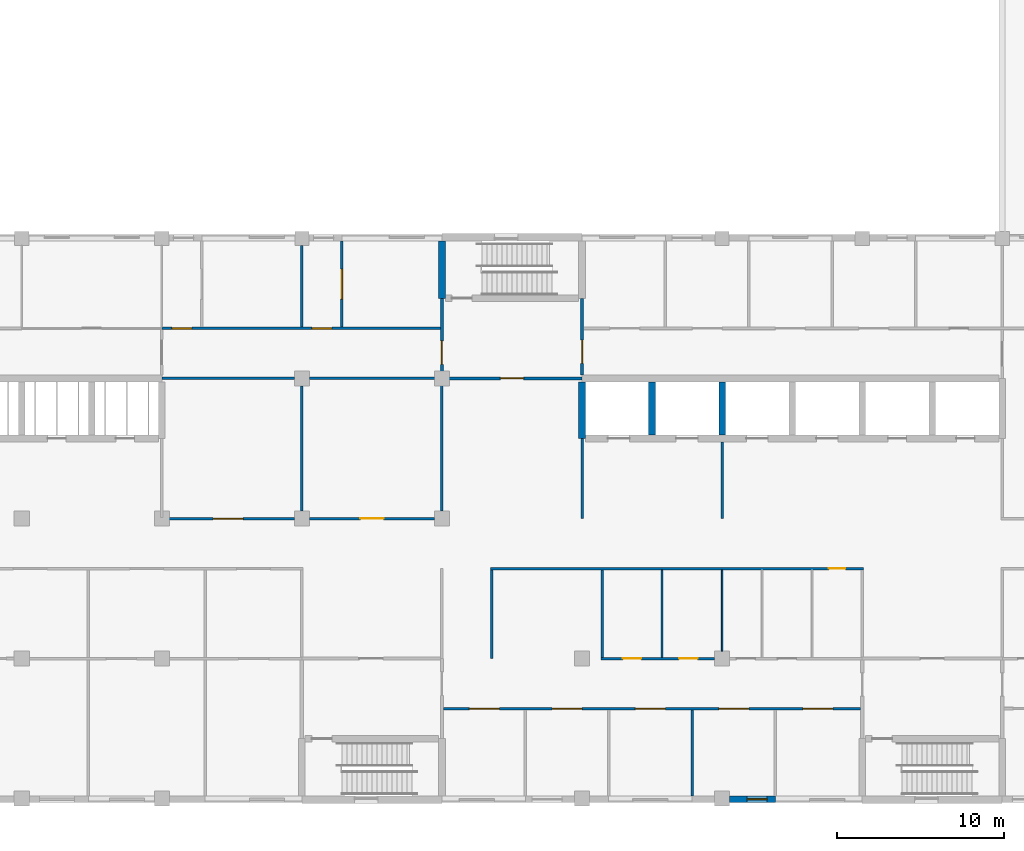
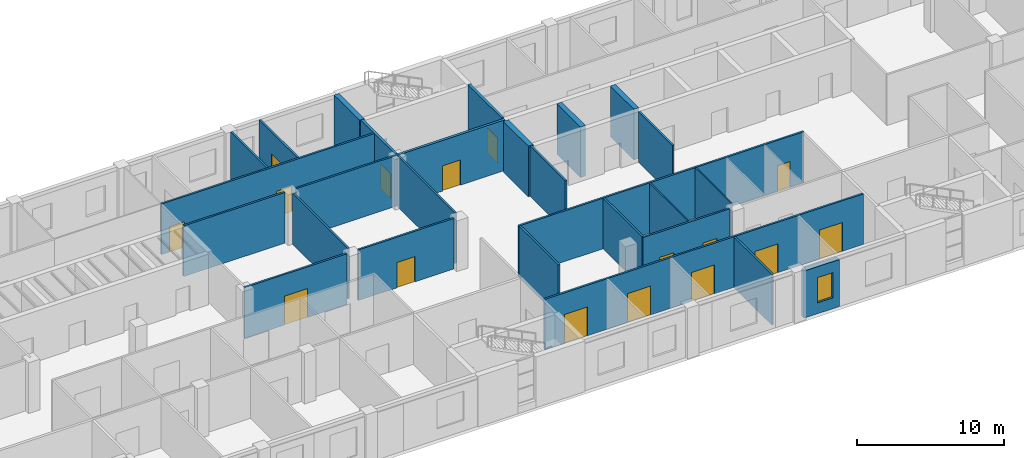
# One storey, part 40 of 66: 27 walls, 16 doors, 1 window, 17 openings.
"""IFC4 building model written with IfcOpenShell, lengths in metres."""

from ifc_helpers import new_model, si_unit, direction, frame, frame_2d, origin, place, context, subcontext, project, spatial, rectangle, extrude, material, layer, layer_set, type_object, element, fill, save


model = new_model("IFC4")

# Units and contexts
model_context = context("Model", 3, precision=1e-05, world=origin(), true_north=direction((0.0, 1.0)))
body_context = subcontext(model_context, "Body", "Model", "MODEL_VIEW")
ifc_project = project(units=[si_unit("LENGTHUNIT", "METRE"), si_unit("AREAUNIT", "SQUARE_METRE"), si_unit("VOLUMEUNIT", "CUBIC_METRE"), si_unit("PLANEANGLEUNIT", "RADIAN"), si_unit("MASSUNIT", "GRAM", prefix="KILO")], contexts=[model_context])

# Site, building, storey
site_placement = place(None, origin())
site = spatial("IfcSite", under=ifc_project, at=site_placement, CompositionType="ELEMENT")
building_placement = place(site_placement, origin())
building = spatial("IfcBuilding", under=site, at=building_placement, Name="Yavir Park General Hospital", CompositionType="ELEMENT")
storey_placement = place(building_placement, frame((0.0, 0.0, 8.39990234375)))
storey = spatial("IfcBuildingStorey", under=building, at=storey_placement, Name="L02", CompositionType="ELEMENT", Elevation=8.39990234375)

# Wall, opening, door
ifc_material_1 = material(Name="Double gypsum board fire partition on steel studs", Category="steel")
ifc_layer_1 = layer(ifc_material_1, 0.199951171875)
ifc_layer_set_1 = layer_set([ifc_layer_1], Name="Double gypsum board fire partition on steel studs")
wall_type_1 = type_object("IfcWallType", Name="Fire-rated partition 200, EI 60", PredefinedType="PARTITIONING", material=ifc_layer_set_1)
wall_1_placement = place(storey_placement, frame((109.199951171875, 25.199951171875, 0.0), z_axis=(0.0, 0.0, 1.0), x_axis=(1.0, 0.0, 0.0)))
wall_1 = element("IfcWall", 1, at=wall_1_placement, inside=storey, type_object=wall_type_1, Name="FP20 L02-067", PredefinedType="PARTITIONING", context=body_context, shape_type="SweptSolid", body=[
    extrude(rectangle(XDim=8.400146484375, YDim=0.199951171875, at=frame_2d((4.2001953125, 0.0))), origin(), (0.0, 0.0, 1.0), 4.2001953125),
])
opening_1_placement = place(wall_1_placement, frame((3.5, 0.0, 0.0)))
opening_1 = element("IfcOpeningElement", 2, at=opening_1_placement, cuts=wall_1, Name="Opening L02.D076", PredefinedType="OPENING", context=body_context, shape_type="SweptSolid", body=[
    extrude(rectangle(XDim=1.39990234375, YDim=2.10009765625, at=frame_2d((0.699951171875, 1.050048828125))), frame((0.0, 0.10986328125, 0.0), z_axis=(0.0, -1.0, 0.0), x_axis=(1.0, 0.0, 0.0)), (0.0, 0.0, 1.0), 0.219970703125),
])
ifc_material_2 = material(Name="Steel frame, fire-resisting leaves with vision panels", Category="steel")
door_type_1 = type_object("IfcDoorType", Name="Double fire door with vision panels 1400 x 2100, EI 60", OperationType="DOUBLE_DOOR_SINGLE_SWING", PredefinedType="DOOR", material=ifc_material_2)
door_1_placement = place(opening_1_placement, origin())
door_1 = element("IfcDoor", 3, at=door_1_placement, inside=storey, type_object=door_type_1, Name="L02.D076", OperationType="SINGLE_SWING_RIGHT", OverallHeight=2.10009765625, OverallWidth=1.39990234375, PredefinedType="DOOR", context=body_context, shape_type="SweptSolid", body=[
    extrude(rectangle(XDim=1.39990234375, YDim=2.10009765625, at=frame_2d((0.699951171875, 1.050048828125))), frame((0.0, 0.030029296875, 0.0), z_axis=(0.0, -1.0, 0.0), x_axis=(1.0, 0.0, 0.0)), (0.0, 0.0, 1.0), 0.06005859375),
])
fill(opening_1, door_1)

wall_2_placement = place(storey_placement, frame((109.199951171875, 25.300048828125, 0.0), z_axis=(0.0, 0.0, 1.0), x_axis=(0.0, 1.0, 0.0)))
wall_2 = element("IfcWall", 4, at=wall_2_placement, inside=storey, type_object=wall_type_1, Name="FP20 L02-284", PredefinedType="PARTITIONING", context=body_context, shape_type="SweptSolid", body=[
    extrude(rectangle(XDim=4.699951171875, YDim=0.199951171875, at=frame_2d((2.35009765625, 0.0))), origin(), (0.0, 0.0, 1.0), 4.2001953125),
])
opening_2_placement = place(wall_2_placement, frame((0.75, 0.0, 0.0)))
opening_2 = element("IfcOpeningElement", 5, at=opening_2_placement, cuts=wall_2, Name="Opening L02.D182", PredefinedType="OPENING", context=body_context, shape_type="SweptSolid", body=[
    extrude(rectangle(XDim=1.39990234375, YDim=2.10009765625, at=frame_2d((0.699951171875, 1.050048828125))), frame((0.0, 0.10986328125, 0.0), z_axis=(0.0, -1.0, 0.0), x_axis=(1.0, 0.0, 0.0)), (0.0, 0.0, 1.0), 0.219970703125),
])
door_2_placement = place(opening_2_placement, origin())
door_2 = element("IfcDoor", 6, at=door_2_placement, inside=storey, type_object=door_type_1, Name="L02.D182", OperationType="SINGLE_SWING_LEFT", OverallHeight=2.10009765625, OverallWidth=1.39990234375, PredefinedType="DOOR", context=body_context, shape_type="SweptSolid", body=[
    extrude(rectangle(XDim=1.39990234375, YDim=2.10009765625, at=frame_2d((0.699951171875, 1.050048828125))), frame((0.0, 0.030029296875, 0.0), z_axis=(0.0, -1.0, 0.0), x_axis=(1.0, 0.0, 0.0)), (0.0, 0.0, 1.0), 0.06005859375),
])
fill(opening_2, door_2)

wall_3_placement = place(storey_placement, frame((117.60009765625, 25.39990234375, 0.0), z_axis=(0.0, 0.0, 1.0), x_axis=(0.0, 1.0, 0.0)))
wall_3 = element("IfcWall", 7, at=wall_3_placement, inside=storey, type_object=wall_type_1, Name="FP20 L02-290", PredefinedType="PARTITIONING", context=body_context, shape_type="SweptSolid", body=[
    extrude(rectangle(XDim=4.60009765625, YDim=0.199951171875, at=frame_2d((2.300048828125, 0.0))), origin(), (0.0, 0.0, 1.0), 4.2001953125),
])
opening_3_placement = place(wall_3_placement, frame((0.699951171875, 0.0, 0.0)))
opening_3 = element("IfcOpeningElement", 8, at=opening_3_placement, cuts=wall_3, Name="Opening L02.D183", PredefinedType="OPENING", context=body_context, shape_type="SweptSolid", body=[
    extrude(rectangle(XDim=1.39990234375, YDim=2.10009765625, at=frame_2d((0.699951171875, 1.050048828125))), frame((0.0, 0.10986328125, 0.0), z_axis=(0.0, -1.0, 0.0), x_axis=(1.0, 0.0, 0.0)), (0.0, 0.0, 1.0), 0.219970703125),
])
door_3_placement = place(opening_3_placement, origin())
door_3 = element("IfcDoor", 9, at=door_3_placement, inside=storey, type_object=door_type_1, Name="L02.D183", OperationType="SINGLE_SWING_RIGHT", OverallHeight=2.10009765625, OverallWidth=1.39990234375, PredefinedType="DOOR", context=body_context, shape_type="SweptSolid", body=[
    extrude(rectangle(XDim=1.39990234375, YDim=2.10009765625, at=frame_2d((0.699951171875, 1.050048828125))), frame((0.0, 0.030029296875, 0.0), z_axis=(0.0, -1.0, 0.0), x_axis=(1.0, 0.0, 0.0)), (0.0, 0.0, 1.0), 0.06005859375),
])
fill(opening_3, door_3)

# Walls
ifc_material_3 = material(Name="Gypsum board partition on steel studs", Category="steel")
ifc_layer_2 = layer(ifc_material_3, 0.10009765625)
ifc_layer_set_2 = layer_set([ifc_layer_2], Name="Gypsum board partition on steel studs")
wall_type_2 = type_object("IfcWallType", Name="Gypsum board partition 100", PredefinedType="PARTITIONING", material=ifc_layer_set_2)
wall_4_placement = place(storey_placement, frame((122.39990234375, 8.47509765625, 0.0), z_axis=(0.0, 0.0, 1.0), x_axis=(0.0, 1.0, 0.0)))
element("IfcWall", 10, at=wall_4_placement, inside=storey, type_object=wall_type_2, Name="P10 L02-295", PredefinedType="PARTITIONING", context=body_context, shape_type="SweptSolid", body=[
    extrude(rectangle(XDim=5.25, YDim=0.10009765625, at=frame_2d((2.625, 0.0))), origin(), (0.0, 0.0, 1.0), 4.2001953125),
])
wall_5_placement = place(storey_placement, frame((126.0, 8.85009765625, 0.0), z_axis=(0.0, 0.0, 1.0), x_axis=(0.0, 1.0, 0.0)))
element("IfcWall", 11, at=wall_5_placement, inside=storey, type_object=wall_type_2, Name="P10 L02-298", PredefinedType="PARTITIONING", context=body_context, shape_type="SweptSolid", body=[
    extrude(rectangle(XDim=4.875, YDim=0.10009765625, at=frame_2d((2.4375, 0.0))), origin(), (0.0, 0.0, 1.0), 4.2001953125),
])

# Wall, openings, doors
ifc_material_4 = material(Name="Gypsum board partition on steel studs", Category="steel")
ifc_layer_3 = layer(ifc_material_4, 0.14990234375)
ifc_layer_set_3 = layer_set([ifc_layer_3], Name="Gypsum board partition on steel studs")
wall_type_3 = type_object("IfcWallType", Name="Gypsum board partition 150", PredefinedType="PARTITIONING", material=ifc_layer_set_3)
wall_6_placement = place(storey_placement, frame((109.300048828125, 5.39990234375, 0.0), z_axis=(0.0, 0.0, 1.0), x_axis=(1.0, 0.0, 0.0)))
wall_6 = element("IfcWall", 12, at=wall_6_placement, inside=storey, type_object=wall_type_3, Name="P15 L02-005", PredefinedType="PARTITIONING", context=body_context, shape_type="SweptSolid", body=[
    extrude(rectangle(XDim=25.0, YDim=0.14990234375, at=frame_2d((12.5, 0.0))), origin(), (0.0, 0.0, 1.0), 4.2001953125),
])
opening_4_placement = place(wall_6_placement, frame((1.550048828125, 0.0, 0.0)))
opening_4 = element("IfcOpeningElement", 13, at=opening_4_placement, cuts=wall_6, Name="Opening L02.D005", PredefinedType="OPENING", context=body_context, shape_type="SweptSolid", body=[
    extrude(rectangle(XDim=1.800048828125, YDim=2.39990234375, at=frame_2d((0.89990234375, 1.199951171875))), frame((0.0, 0.0849609375, 0.0), z_axis=(0.0, -1.0, 0.0), x_axis=(1.0, 0.0, 0.0)), (0.0, 0.0, 1.0), 0.169921875),
])
opening_5_placement = place(wall_6_placement, frame((6.5, 0.0, 0.0)))
opening_5 = element("IfcOpeningElement", 14, at=opening_5_placement, cuts=wall_6, Name="Opening L02.D006", PredefinedType="OPENING", context=body_context, shape_type="SweptSolid", body=[
    extrude(rectangle(XDim=1.800048828125, YDim=2.39990234375, at=frame_2d((0.89990234375, 1.199951171875))), frame((0.0, 0.0849609375, 0.0), z_axis=(0.0, -1.0, 0.0), x_axis=(1.0, 0.0, 0.0)), (0.0, 0.0, 1.0), 0.169921875),
])
opening_6_placement = place(wall_6_placement, frame((11.5, 0.0, 0.0)))
opening_6 = element("IfcOpeningElement", 15, at=opening_6_placement, cuts=wall_6, Name="Opening L02.D007", PredefinedType="OPENING", context=body_context, shape_type="SweptSolid", body=[
    extrude(rectangle(XDim=1.800048828125, YDim=2.39990234375, at=frame_2d((0.89990234375, 1.199951171875))), frame((0.0, 0.0849609375, 0.0), z_axis=(0.0, -1.0, 0.0), x_axis=(1.0, 0.0, 0.0)), (0.0, 0.0, 1.0), 0.169921875),
])
opening_7_placement = place(wall_6_placement, frame((16.5, 0.0, 0.0)))
opening_7 = element("IfcOpeningElement", 16, at=opening_7_placement, cuts=wall_6, Name="Opening L02.D008", PredefinedType="OPENING", context=body_context, shape_type="SweptSolid", body=[
    extrude(rectangle(XDim=1.800048828125, YDim=2.39990234375, at=frame_2d((0.89990234375, 1.199951171875))), frame((0.0, 0.0849609375, 0.0), z_axis=(0.0, -1.0, 0.0), x_axis=(1.0, 0.0, 0.0)), (0.0, 0.0, 1.0), 0.169921875),
])
opening_8_placement = place(wall_6_placement, frame((21.550048828125, 0.0, 0.0)))
opening_8 = element("IfcOpeningElement", 17, at=opening_8_placement, cuts=wall_6, Name="Opening L02.D009", PredefinedType="OPENING", context=body_context, shape_type="SweptSolid", body=[
    extrude(rectangle(XDim=1.800048828125, YDim=2.39990234375, at=frame_2d((0.89990234375, 1.199951171875))), frame((0.0, 0.0849609375, 0.0), z_axis=(0.0, -1.0, 0.0), x_axis=(1.0, 0.0, 0.0)), (0.0, 0.0, 1.0), 0.169921875),
])
ifc_material_5 = material(Name="Aluminium frame, safety glass leaves", Category="aluminium")
door_type_2 = type_object("IfcDoorType", Name="Glazed bi-parting sliding door, intensive care 1800 x 2400", OperationType="DOUBLE_DOOR_SLIDING", PredefinedType="DOOR", material=ifc_material_5)
door_4_placement = place(opening_4_placement, origin())
door_4 = element("IfcDoor", 18, at=door_4_placement, inside=storey, type_object=door_type_2, Name="L02.D005", OperationType="DOUBLE_DOOR_SLIDING", OverallHeight=2.39990234375, OverallWidth=1.800048828125, PredefinedType="DOOR", context=body_context, shape_type="SweptSolid", body=[
    extrude(rectangle(XDim=1.800048828125, YDim=2.39990234375, at=frame_2d((0.89990234375, 1.199951171875))), frame((0.0, 0.03515625, 0.0), z_axis=(0.0, -1.0, 0.0), x_axis=(1.0, 0.0, 0.0)), (0.0, 0.0, 1.0), 0.070068359375),
])
fill(opening_4, door_4)
door_5_placement = place(opening_5_placement, origin())
door_5 = element("IfcDoor", 19, at=door_5_placement, inside=storey, type_object=door_type_2, Name="L02.D006", OperationType="DOUBLE_DOOR_SLIDING", OverallHeight=2.39990234375, OverallWidth=1.800048828125, PredefinedType="DOOR", context=body_context, shape_type="SweptSolid", body=[
    extrude(rectangle(XDim=1.800048828125, YDim=2.39990234375, at=frame_2d((0.89990234375, 1.199951171875))), frame((0.0, 0.03515625, 0.0), z_axis=(0.0, -1.0, 0.0), x_axis=(1.0, 0.0, 0.0)), (0.0, 0.0, 1.0), 0.070068359375),
])
fill(opening_5, door_5)
door_6_placement = place(opening_6_placement, origin())
door_6 = element("IfcDoor", 20, at=door_6_placement, inside=storey, type_object=door_type_2, Name="L02.D007", OperationType="DOUBLE_DOOR_SLIDING", OverallHeight=2.39990234375, OverallWidth=1.800048828125, PredefinedType="DOOR", context=body_context, shape_type="SweptSolid", body=[
    extrude(rectangle(XDim=1.800048828125, YDim=2.39990234375, at=frame_2d((0.89990234375, 1.199951171875))), frame((0.0, 0.03515625, 0.0), z_axis=(0.0, -1.0, 0.0), x_axis=(1.0, 0.0, 0.0)), (0.0, 0.0, 1.0), 0.070068359375),
])
fill(opening_6, door_6)
door_7_placement = place(opening_7_placement, origin())
door_7 = element("IfcDoor", 21, at=door_7_placement, inside=storey, type_object=door_type_2, Name="L02.D008", OperationType="DOUBLE_DOOR_SLIDING", OverallHeight=2.39990234375, OverallWidth=1.800048828125, PredefinedType="DOOR", context=body_context, shape_type="SweptSolid", body=[
    extrude(rectangle(XDim=1.800048828125, YDim=2.39990234375, at=frame_2d((0.89990234375, 1.199951171875))), frame((0.0, 0.03515625, 0.0), z_axis=(0.0, -1.0, 0.0), x_axis=(1.0, 0.0, 0.0)), (0.0, 0.0, 1.0), 0.070068359375),
])
fill(opening_7, door_7)
door_8_placement = place(opening_8_placement, origin())
door_8 = element("IfcDoor", 22, at=door_8_placement, inside=storey, type_object=door_type_2, Name="L02.D009", OperationType="DOUBLE_DOOR_SLIDING", OverallHeight=2.39990234375, OverallWidth=1.800048828125, PredefinedType="DOOR", context=body_context, shape_type="SweptSolid", body=[
    extrude(rectangle(XDim=1.800048828125, YDim=2.39990234375, at=frame_2d((0.89990234375, 1.199951171875))), frame((0.0, 0.03515625, 0.0), z_axis=(0.0, -1.0, 0.0), x_axis=(1.0, 0.0, 0.0)), (0.0, 0.0, 1.0), 0.070068359375),
])
fill(opening_8, door_8)

wall_7_placement = place(storey_placement, frame((118.72509765625, 8.39990234375, 0.0), z_axis=(0.0, 0.0, 1.0), x_axis=(1.0, 0.0, 0.0)))
wall_7 = element("IfcWall", 23, at=wall_7_placement, inside=storey, type_object=wall_type_3, Name="P15 L02-020", PredefinedType="PARTITIONING", context=body_context, shape_type="SweptSolid", body=[
    extrude(rectangle(XDim=6.824951171875, YDim=0.14990234375, at=frame_2d((3.41259765625, 0.0))), origin(), (0.0, 0.0, 1.0), 4.2001953125),
])
opening_9_placement = place(wall_7_placement, frame((1.324951171875, 0.0, 0.0)))
opening_9 = element("IfcOpeningElement", 24, at=opening_9_placement, cuts=wall_7, Name="Opening L02.D030", PredefinedType="OPENING", context=body_context, shape_type="SweptSolid", body=[
    extrude(rectangle(XDim=1.10009765625, YDim=2.10009765625, at=frame_2d((0.550048828125, 1.050048828125))), frame((0.0, 0.0849609375, 0.0), z_axis=(0.0, -1.0, 0.0), x_axis=(1.0, 0.0, 0.0)), (0.0, 0.0, 1.0), 0.169921875),
])
opening_10_placement = place(wall_7_placement, frame((4.699951171875, 0.0, 0.0)))
opening_10 = element("IfcOpeningElement", 25, at=opening_10_placement, cuts=wall_7, Name="Opening L02.D031", PredefinedType="OPENING", context=body_context, shape_type="SweptSolid", body=[
    extrude(rectangle(XDim=1.10009765625, YDim=2.10009765625, at=frame_2d((0.550048828125, 1.050048828125))), frame((0.0, 0.0849609375, 0.0), z_axis=(0.0, -1.0, 0.0), x_axis=(1.0, 0.0, 0.0)), (0.0, 0.0, 1.0), 0.169921875),
])
ifc_material_6 = material(Name="Hollow metal frame, solid-core timber leaf", Category="wood")
door_type_3 = type_object("IfcDoorType", Name="Single swing door 1100 x 2100", OperationType="SINGLE_SWING_LEFT", PredefinedType="DOOR", material=ifc_material_6)
door_9_placement = place(opening_9_placement, origin())
door_9 = element("IfcDoor", 26, at=door_9_placement, inside=storey, type_object=door_type_3, Name="L02.D030", OperationType="SINGLE_SWING_RIGHT", OverallHeight=2.10009765625, OverallWidth=1.10009765625, PredefinedType="DOOR", context=body_context, shape_type="SweptSolid", body=[
    extrude(rectangle(XDim=1.10009765625, YDim=2.10009765625, at=frame_2d((0.550048828125, 1.050048828125))), frame((0.0, 0.02490234375, 0.0), z_axis=(0.0, -1.0, 0.0), x_axis=(1.0, 0.0, 0.0)), (0.0, 0.0, 1.0), 0.050048828125),
])
fill(opening_9, door_9)
door_10_placement = place(opening_10_placement, origin())
door_10 = element("IfcDoor", 27, at=door_10_placement, inside=storey, type_object=door_type_3, Name="L02.D031", OperationType="SINGLE_SWING_LEFT", OverallHeight=2.10009765625, OverallWidth=1.10009765625, PredefinedType="DOOR", context=body_context, shape_type="SweptSolid", body=[
    extrude(rectangle(XDim=1.10009765625, YDim=2.10009765625, at=frame_2d((0.550048828125, 1.050048828125))), frame((0.0, 0.02490234375, 0.0), z_axis=(0.0, -1.0, 0.0), x_axis=(1.0, 0.0, 0.0)), (0.0, 0.0, 1.0), 0.050048828125),
])
fill(opening_10, door_10)

# Wall, opening, door
wall_8_placement = place(storey_placement, frame((112.125, 13.800048828125, 0.0), z_axis=(0.0, 0.0, 1.0), x_axis=(1.0, 0.0, 0.0)))
wall_8 = element("IfcWall", 28, at=wall_8_placement, inside=storey, type_object=wall_type_3, Name="P15 L02-030", PredefinedType="PARTITIONING", context=body_context, shape_type="SweptSolid", body=[
    extrude(rectangle(XDim=22.35009765625, YDim=0.14990234375, at=frame_2d((11.175048828125, 0.0))), origin(), (0.0, 0.0, 1.0), 4.2001953125),
])
opening_11_placement = place(wall_8_placement, frame((20.27490234375, 0.0, 0.0)))
opening_11 = element("IfcOpeningElement", 29, at=opening_11_placement, cuts=wall_8, Name="Opening L02.D052", PredefinedType="OPENING", context=body_context, shape_type="SweptSolid", body=[
    extrude(rectangle(XDim=1.0, YDim=2.10009765625, at=frame_2d((0.5, 1.050048828125))), frame((0.0, 0.0849609375, 0.0), z_axis=(0.0, -1.0, 0.0), x_axis=(1.0, 0.0, 0.0)), (0.0, 0.0, 1.0), 0.169921875),
])
ifc_material_7 = material(Name="Hollow metal frame, solid-core timber leaf", Category="wood")
door_type_4 = type_object("IfcDoorType", Name="Single swing door 1000 x 2100", OperationType="SINGLE_SWING_LEFT", PredefinedType="DOOR", material=ifc_material_7)
door_11_placement = place(opening_11_placement, origin())
door_11 = element("IfcDoor", 30, at=door_11_placement, inside=storey, type_object=door_type_4, Name="L02.D052", OperationType="SINGLE_SWING_LEFT", OverallHeight=2.10009765625, OverallWidth=1.0, PredefinedType="DOOR", context=body_context, shape_type="SweptSolid", body=[
    extrude(rectangle(XDim=1.0, YDim=2.10009765625, at=frame_2d((0.5, 1.050048828125))), frame((0.0, 0.02490234375, 0.0), z_axis=(0.0, -1.0, 0.0), x_axis=(1.0, 0.0, 0.0)), (0.0, 0.0, 1.0), 0.050048828125),
])
fill(opening_11, door_11)

wall_9_placement = place(storey_placement, frame((92.324951171875, 16.800048828125, 0.0), z_axis=(0.0, 0.0, 1.0), x_axis=(1.0, 0.0, 0.0)))
wall_9 = element("IfcWall", 31, at=wall_9_placement, inside=storey, type_object=wall_type_3, Name="P15 L02-043", PredefinedType="PARTITIONING", context=body_context, shape_type="SweptSolid", body=[
    extrude(rectangle(XDim=8.025146484375, YDim=0.14990234375, at=frame_2d((4.0126953125, 0.0))), origin(), (0.0, 0.0, 1.0), 4.2001953125),
])
opening_12_placement = place(wall_9_placement, frame((3.14990234375, 0.0, 0.0)))
opening_12 = element("IfcOpeningElement", 32, at=opening_12_placement, cuts=wall_9, Name="Opening L02.D059", PredefinedType="OPENING", context=body_context, shape_type="SweptSolid", body=[
    extrude(rectangle(XDim=1.800048828125, YDim=2.39990234375, at=frame_2d((0.89990234375, 1.199951171875))), frame((0.0, 0.0849609375, 0.0), z_axis=(0.0, -1.0, 0.0), x_axis=(1.0, 0.0, 0.0)), (0.0, 0.0, 1.0), 0.169921875),
])
ifc_material_8 = material(Name="Solid-core timber leaves, push plates, kick plates", Category="wood")
door_type_5 = type_object("IfcDoorType", Name="Bed door, double leaf 1800 x 2400", OperationType="DOUBLE_DOOR_SINGLE_SWING", PredefinedType="DOOR", material=ifc_material_8)
door_12_placement = place(opening_12_placement, origin())
door_12 = element("IfcDoor", 33, at=door_12_placement, inside=storey, type_object=door_type_5, Name="L02.D059", OperationType="SINGLE_SWING_RIGHT", OverallHeight=2.39990234375, OverallWidth=1.800048828125, PredefinedType="DOOR", context=body_context, shape_type="SweptSolid", body=[
    extrude(rectangle(XDim=1.800048828125, YDim=2.39990234375, at=frame_2d((0.89990234375, 1.199951171875))), frame((0.0, 0.030029296875, 0.0), z_axis=(0.0, -1.0, 0.0), x_axis=(1.0, 0.0, 0.0)), (0.0, 0.0, 1.0), 0.06005859375),
])
fill(opening_12, door_12)

wall_10_placement = place(storey_placement, frame((101.25, 16.800048828125, 0.0), z_axis=(0.0, 0.0, 1.0), x_axis=(1.0, 0.0, 0.0)))
wall_10 = element("IfcWall", 34, at=wall_10_placement, inside=storey, type_object=wall_type_3, Name="P15 L02-044", PredefinedType="PARTITIONING", context=body_context, shape_type="SweptSolid", body=[
    extrude(rectangle(XDim=7.5, YDim=0.14990234375, at=frame_2d((3.75, 0.0))), origin(), (0.0, 0.0, 1.0), 4.2001953125),
])
opening_13_placement = place(wall_10_placement, frame((3.050048828125, 0.0, 0.0)))
opening_13 = element("IfcOpeningElement", 35, at=opening_13_placement, cuts=wall_10, Name="Opening L02.D060", PredefinedType="OPENING", context=body_context, shape_type="SweptSolid", body=[
    extrude(rectangle(XDim=1.39990234375, YDim=2.10009765625, at=frame_2d((0.699951171875, 1.050048828125))), frame((0.0, 0.0849609375, 0.0), z_axis=(0.0, -1.0, 0.0), x_axis=(1.0, 0.0, 0.0)), (0.0, 0.0, 1.0), 0.169921875),
])
ifc_material_9 = material(Name="Hollow metal frame, solid-core timber leaf", Category="wood")
door_type_6 = type_object("IfcDoorType", Name="Double swing door 1400 x 2100", OperationType="DOUBLE_DOOR_SINGLE_SWING", PredefinedType="DOOR", material=ifc_material_9)
door_13_placement = place(opening_13_placement, origin())
door_13 = element("IfcDoor", 36, at=door_13_placement, inside=storey, type_object=door_type_6, Name="L02.D060", OperationType="SINGLE_SWING_RIGHT", OverallHeight=2.10009765625, OverallWidth=1.39990234375, PredefinedType="DOOR", context=body_context, shape_type="SweptSolid", body=[
    extrude(rectangle(XDim=1.39990234375, YDim=2.10009765625, at=frame_2d((0.699951171875, 1.050048828125))), frame((0.0, 0.02490234375, 0.0), z_axis=(0.0, -1.0, 0.0), x_axis=(1.0, 0.0, 0.0)), (0.0, 0.0, 1.0), 0.050048828125),
])
fill(opening_13, door_13)

# Walls
wall_11_placement = place(storey_placement, frame((92.39990234375, 25.199951171875, 0.0), z_axis=(0.0, 0.0, 1.0), x_axis=(1.0, 0.0, 0.0)))
element("IfcWall", 37, at=wall_11_placement, inside=storey, type_object=wall_type_3, Name="P15 L02-065", PredefinedType="PARTITIONING", context=body_context, shape_type="SweptSolid", body=[
    extrude(rectangle(XDim=7.9501953125, YDim=0.14990234375, at=frame_2d((3.97509765625, 0.0))), origin(), (0.0, 0.0, 1.0), 4.2001953125),
])
wall_12_placement = place(storey_placement, frame((101.25, 25.199951171875, 0.0), z_axis=(0.0, 0.0, 1.0), x_axis=(1.0, 0.0, 0.0)))
element("IfcWall", 38, at=wall_12_placement, inside=storey, type_object=wall_type_3, Name="P15 L02-066", PredefinedType="PARTITIONING", context=body_context, shape_type="SweptSolid", body=[
    extrude(rectangle(XDim=7.949951171875, YDim=0.14990234375, at=frame_2d((3.97509765625, 0.0))), origin(), (0.0, 0.0, 1.0), 4.2001953125),
])

# Wall, openings, doors
wall_13_placement = place(storey_placement, frame((92.39990234375, 28.199951171875, 0.0), z_axis=(0.0, 0.0, 1.0), x_axis=(1.0, 0.0, 0.0)))
wall_13 = element("IfcWall", 39, at=wall_13_placement, inside=storey, type_object=wall_type_3, Name="P15 L02-076", PredefinedType="PARTITIONING", context=body_context, shape_type="SweptSolid", body=[
    extrude(rectangle(XDim=16.7001953125, YDim=0.14990234375, at=frame_2d((8.35009765625, 0.0))), origin(), (0.0, 0.0, 1.0), 4.2001953125),
])
opening_14_placement = place(wall_13_placement, frame((0.60009765625, 0.0, 0.0)))
opening_14 = element("IfcOpeningElement", 40, at=opening_14_placement, cuts=wall_13, Name="Opening L02.D087", PredefinedType="OPENING", context=body_context, shape_type="SweptSolid", body=[
    extrude(rectangle(XDim=1.199951171875, YDim=2.10009765625, at=frame_2d((0.60009765625, 1.050048828125))), frame((0.0, 0.0849609375, 0.0), z_axis=(0.0, -1.0, 0.0), x_axis=(1.0, 0.0, 0.0)), (0.0, 0.0, 1.0), 0.169921875),
])
opening_15_placement = place(wall_13_placement, frame((9.0, 0.0, 0.0)))
opening_15 = element("IfcOpeningElement", 41, at=opening_15_placement, cuts=wall_13, Name="Opening L02.D088", PredefinedType="OPENING", context=body_context, shape_type="SweptSolid", body=[
    extrude(rectangle(XDim=1.199951171875, YDim=2.10009765625, at=frame_2d((0.60009765625, 1.050048828125))), frame((0.0, 0.0849609375, 0.0), z_axis=(0.0, -1.0, 0.0), x_axis=(1.0, 0.0, 0.0)), (0.0, 0.0, 1.0), 0.169921875),
])
ifc_material_10 = material(Name="Sealed steel door leaf, compression seals", Category="steel")
door_type_7 = type_object("IfcDoorType", Name="Isolation airlock door 1200 x 2100", OperationType="SINGLE_SWING_LEFT", PredefinedType="DOOR", material=ifc_material_10)
door_14_placement = place(opening_14_placement, origin())
door_14 = element("IfcDoor", 42, at=door_14_placement, inside=storey, type_object=door_type_7, Name="L02.D087", OperationType="SINGLE_SWING_RIGHT", OverallHeight=2.10009765625, OverallWidth=1.199951171875, PredefinedType="DOOR", context=body_context, shape_type="SweptSolid", body=[
    extrude(rectangle(XDim=1.199951171875, YDim=2.10009765625, at=frame_2d((0.60009765625, 1.050048828125))), frame((0.0, 0.050048828125, 0.0), z_axis=(0.0, -1.0, 0.0), x_axis=(1.0, 0.0, 0.0)), (0.0, 0.0, 1.0), 0.10009765625),
])
fill(opening_14, door_14)
door_15_placement = place(opening_15_placement, origin())
door_15 = element("IfcDoor", 43, at=door_15_placement, inside=storey, type_object=door_type_7, Name="L02.D088", OperationType="SINGLE_SWING_RIGHT", OverallHeight=2.10009765625, OverallWidth=1.199951171875, PredefinedType="DOOR", context=body_context, shape_type="SweptSolid", body=[
    extrude(rectangle(XDim=1.199951171875, YDim=2.10009765625, at=frame_2d((0.60009765625, 1.050048828125))), frame((0.0, 0.050048828125, 0.0), z_axis=(0.0, -1.0, 0.0), x_axis=(1.0, 0.0, 0.0)), (0.0, 0.0, 1.0), 0.10009765625),
])
fill(opening_15, door_15)

# Walls
wall_14_placement = place(storey_placement, frame((100.800048828125, 17.25, 0.0), z_axis=(0.0, 0.0, 1.0), x_axis=(0.0, 1.0, 0.0)))
element("IfcWall", 44, at=wall_14_placement, inside=storey, type_object=wall_type_3, Name="P15 L02-277", PredefinedType="PARTITIONING", context=body_context, shape_type="SweptSolid", body=[
    extrude(rectangle(XDim=7.5, YDim=0.14990234375, at=frame_2d((3.75, 0.0))), origin(), (0.0, 0.0, 1.0), 4.2001953125),
])
wall_15_placement = place(storey_placement, frame((100.800048828125, 28.27490234375, 0.0), z_axis=(0.0, 0.0, 1.0), x_axis=(0.0, 1.0, 0.0)))
element("IfcWall", 45, at=wall_15_placement, inside=storey, type_object=wall_type_3, Name="P15 L02-278", PredefinedType="PARTITIONING", context=body_context, shape_type="SweptSolid", body=[
    extrude(rectangle(XDim=4.900146484375, YDim=0.14990234375, at=frame_2d((2.4501953125, 0.0))), origin(), (0.0, 0.0, 1.0), 4.2001953125),
])

# Wall, opening, door
wall_16_placement = place(storey_placement, frame((103.199951171875, 28.27490234375, 0.0), z_axis=(0.0, 0.0, 1.0), x_axis=(0.0, 1.0, 0.0)))
wall_16 = element("IfcWall", 46, at=wall_16_placement, inside=storey, type_object=wall_type_3, Name="P15 L02-279", PredefinedType="PARTITIONING", context=body_context, shape_type="SweptSolid", body=[
    extrude(rectangle(XDim=5.175048828125, YDim=0.14990234375, at=frame_2d((2.58740234375, 0.0))), origin(), (0.0, 0.0, 1.0), 4.2001953125),
])
opening_16_placement = place(wall_16_placement, frame((1.6875, 0.0, 0.0)))
opening_16 = element("IfcOpeningElement", 47, at=opening_16_placement, cuts=wall_16, Name="Opening L02.D180", PredefinedType="OPENING", context=body_context, shape_type="SweptSolid", body=[
    extrude(rectangle(XDim=1.800048828125, YDim=2.39990234375, at=frame_2d((0.89990234375, 1.199951171875))), frame((0.0, 0.0849609375, 0.0), z_axis=(0.0, -1.0, 0.0), x_axis=(1.0, 0.0, 0.0)), (0.0, 0.0, 1.0), 0.169921875),
])
ifc_material_11 = material(Name="Sealed steel door leaves, compression seals", Category="steel")
door_type_8 = type_object("IfcDoorType", Name="Isolation airlock double door 1800 x 2400", OperationType="DOUBLE_DOOR_SINGLE_SWING", PredefinedType="DOOR", material=ifc_material_11)
door_16_placement = place(opening_16_placement, origin())
door_16 = element("IfcDoor", 48, at=door_16_placement, inside=storey, type_object=door_type_8, Name="L02.D180", OperationType="SINGLE_SWING_RIGHT", OverallHeight=2.39990234375, OverallWidth=1.800048828125, PredefinedType="DOOR", context=body_context, shape_type="SweptSolid", body=[
    extrude(rectangle(XDim=1.800048828125, YDim=2.39990234375, at=frame_2d((0.89990234375, 1.199951171875))), frame((0.0, 0.050048828125, 0.0), z_axis=(0.0, -1.0, 0.0), x_axis=(1.0, 0.0, 0.0)), (0.0, 0.0, 1.0), 0.10009765625),
])
fill(opening_16, door_16)

# Walls
wall_17_placement = place(storey_placement, frame((109.199951171875, 17.25, 0.0), z_axis=(0.0, 0.0, 1.0), x_axis=(0.0, 1.0, 0.0)))
element("IfcWall", 49, at=wall_17_placement, inside=storey, type_object=wall_type_3, Name="P15 L02-283", PredefinedType="PARTITIONING", context=body_context, shape_type="SweptSolid", body=[
    extrude(rectangle(XDim=7.85009765625, YDim=0.14990234375, at=frame_2d((3.925048828125, 0.0))), origin(), (0.0, 0.0, 1.0), 4.2001953125),
])
wall_18_placement = place(storey_placement, frame((112.199951171875, 8.39990234375, 0.0), z_axis=(0.0, 0.0, 1.0), x_axis=(0.0, 1.0, 0.0)))
element("IfcWall", 50, at=wall_18_placement, inside=storey, type_object=wall_type_3, Name="P15 L02-286", PredefinedType="PARTITIONING", context=body_context, shape_type="SweptSolid", body=[
    extrude(rectangle(XDim=5.3251953125, YDim=0.14990234375, at=frame_2d((2.66259765625, 0.0))), origin(), (0.0, 0.0, 1.0), 4.2001953125),
])
wall_19_placement = place(storey_placement, frame((117.60009765625, 16.800048828125, 0.0), z_axis=(0.0, 0.0, 1.0), x_axis=(0.0, 1.0, 0.0)))
element("IfcWall", 51, at=wall_19_placement, inside=storey, type_object=wall_type_3, Name="P15 L02-288", PredefinedType="PARTITIONING", context=body_context, shape_type="SweptSolid", body=[
    extrude(rectangle(XDim=4.800048828125, YDim=0.14990234375, at=frame_2d((2.39990234375, 0.0))), origin(), (0.0, 0.0, 1.0), 4.2001953125),
])
wall_20_placement = place(storey_placement, frame((118.800048828125, 8.47509765625, 0.0), z_axis=(0.0, 0.0, 1.0), x_axis=(0.0, 1.0, 0.0)))
element("IfcWall", 52, at=wall_20_placement, inside=storey, type_object=wall_type_3, Name="P15 L02-292", PredefinedType="PARTITIONING", context=body_context, shape_type="SweptSolid", body=[
    extrude(rectangle(XDim=5.25, YDim=0.14990234375, at=frame_2d((2.625, 0.0))), origin(), (0.0, 0.0, 1.0), 4.2001953125),
])
wall_21_placement = place(storey_placement, frame((124.199951171875, 0.14990234375, 0.0), z_axis=(0.0, 0.0, 1.0), x_axis=(0.0, 1.0, 0.0)))
element("IfcWall", 53, at=wall_21_placement, inside=storey, type_object=wall_type_3, Name="P15 L02-297", PredefinedType="PARTITIONING", context=body_context, shape_type="SweptSolid", body=[
    extrude(rectangle(XDim=5.175048828125, YDim=0.14990234375, at=frame_2d((2.58740234375, 0.0))), origin(), (0.0, 0.0, 1.0), 4.2001953125),
])
wall_22_placement = place(storey_placement, frame((126.0, 16.800048828125, 0.0), z_axis=(0.0, 0.0, 1.0), x_axis=(0.0, 1.0, 0.0)))
element("IfcWall", 54, at=wall_22_placement, inside=storey, type_object=wall_type_3, Name="P15 L02-299", PredefinedType="PARTITIONING", context=body_context, shape_type="SweptSolid", body=[
    extrude(rectangle(XDim=4.599853515625, YDim=0.14990234375, at=frame_2d((2.2998046875, 0.0))), origin(), (0.0, 0.0, 1.0), 4.2001953125),
])

# Wall, opening, window
ifc_material_12 = material(Name="Autoclaved aerated block, 150 mm mineral wool and sand-coloured mineral render")
ifc_layer_4 = layer(ifc_material_12, 0.375)
ifc_layer_set_4 = layer_set([ifc_layer_4], Name="Autoclaved aerated block, 150 mm mineral wool and sand-coloured mineral render")
wall_type_4 = type_object("IfcWallType", Name="Mineral render clinical wall 375, E 30", PredefinedType="SOLIDWALL", material=ifc_layer_set_4)
wall_23_placement = place(storey_placement, frame((126.449951171875, -0.03759765625, 0.0), z_axis=(0.0, 0.0, 1.0), x_axis=(1.0, 0.0, 0.0)))
wall_23 = element("IfcWall", 55, at=wall_23_placement, inside=storey, type_object=wall_type_4, Name="XW1 L02-033", PredefinedType="SOLIDWALL", context=body_context, shape_type="SweptSolid", body=[
    extrude(rectangle(XDim=2.75, YDim=0.375, at=frame_2d((1.375, 0.0))), origin(), (0.0, 0.0, 1.0), 3.900146484375),
])
opening_17_placement = place(wall_23_placement, frame((1.050048828125, 0.0, 0.89990234375)))
opening_17 = element("IfcOpeningElement", 56, at=opening_17_placement, cuts=wall_23, Name="Opening WD2", PredefinedType="OPENING", context=body_context, shape_type="SweptSolid", body=[
    extrude(rectangle(XDim=1.199951171875, YDim=2.10009765625, at=frame_2d((0.60009765625, 1.050048828125))), frame((0.0, 0.197509765625, 0.0), z_axis=(0.0, -1.0, 0.0), x_axis=(1.0, 0.0, 0.0)), (0.0, 0.0, 1.0), 0.39501953125),
])
ifc_material_13 = material(Name="Aluminium frame, double glazed unit", Category="aluminium")
window_type = type_object("IfcWindowType", Name="Tall office window 1200 x 2100", PartitioningType="SINGLE_PANEL", PredefinedType="WINDOW", material=ifc_material_13)
window_placement = place(opening_17_placement, origin())
window = element("IfcWindow", 57, at=window_placement, inside=storey, type_object=window_type, Name="WD2 L02-013", OverallHeight=2.10009765625, OverallWidth=1.199951171875, PartitioningType="SINGLE_PANEL", PredefinedType="WINDOW", context=body_context, shape_type="SweptSolid", body=[
    extrude(rectangle(XDim=1.199951171875, YDim=2.10009765625, at=frame_2d((0.60009765625, 1.050048828125))), frame((0.0, 0.030029296875, 0.0), z_axis=(0.0, -1.0, 0.0), x_axis=(1.0, 0.0, 0.0)), (0.0, 0.0, 1.0), 0.06005859375),
])
fill(opening_17, window)

# Walls
ifc_material_14 = material(Name="Concrete C35/45", Category="concrete")
ifc_layer_5 = layer(ifc_material_14, 0.39990234375)
ifc_layer_set_5 = layer_set([ifc_layer_5], Name="Concrete C35/45")
wall_type_5 = type_object("IfcWallType", Name="Reinforced concrete core wall 400, REI 150", PredefinedType="SHEAR", material=ifc_layer_set_5)
wall_24_placement = place(storey_placement, frame((109.199951171875, 30.0, 0.0), z_axis=(0.0, 0.0, 1.0), x_axis=(0.0, 1.0, 0.0)))
element("IfcWall", 58, at=wall_24_placement, inside=storey, type_object=wall_type_5, Name="CW40 L02-285", PredefinedType="SHEAR", context=body_context, shape_type="SweptSolid", body=[
    extrude(rectangle(XDim=3.449951171875, YDim=0.39990234375, at=frame_2d((1.72509765625, 0.0))), origin(), (0.0, 0.0, 1.0), 4.2001953125),
])
wall_25_placement = place(storey_placement, frame((117.60009765625, 21.60009765625, 0.0), z_axis=(0.0, 0.0, 1.0), x_axis=(0.0, 1.0, 0.0)))
element("IfcWall", 59, at=wall_25_placement, inside=storey, type_object=wall_type_5, Name="CW40 L02-289", PredefinedType="SHEAR", context=body_context, shape_type="SweptSolid", body=[
    extrude(rectangle(XDim=3.39990234375, YDim=0.39990234375, at=frame_2d((1.699951171875, 0.0))), origin(), (0.0, 0.0, 1.0), 4.2001953125),
])
for number, where, z_axis, x_axis, name in (
    (60, (121.800048828125, 21.800048828125, 0.0), (0.0, 0.0, 1.0), (0.0, 1.0, 0.0), "CW40 L02-294"),
    (61, (126.0, 21.800048828125, 0.0), (0.0, 0.0, 1.0), (0.0, 1.0, 0.0), "CW40 L02-300"),
):
    element("IfcWall", number, at=place(storey_placement, frame(where, z_axis=z_axis, x_axis=x_axis)), inside=storey, type_object=wall_type_5, Name=name, PredefinedType="SHEAR", context=body_context, shape_type="SweptSolid", body=[
        extrude(rectangle(XDim=3.199951171875, YDim=0.39990234375, at=frame_2d((1.60009765625, 0.0))), origin(), (0.0, 0.0, 1.0), 4.2001953125),
    ])

save(model, "model.ifc")
